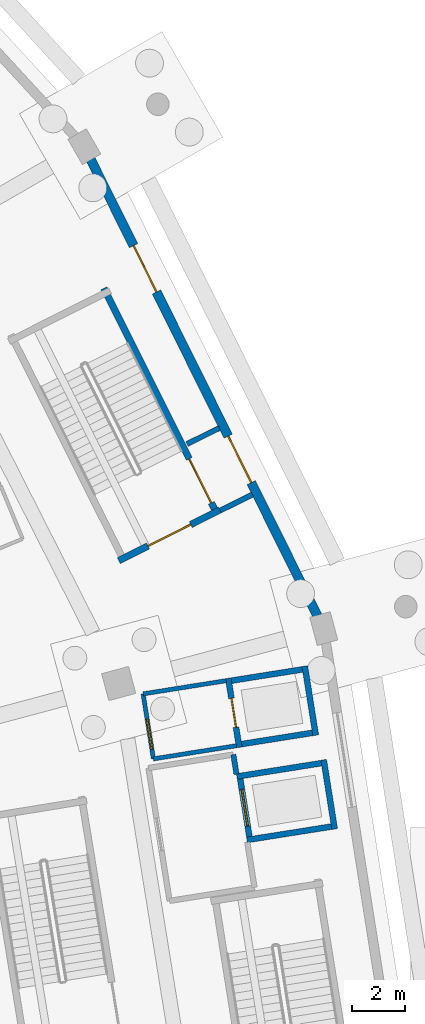
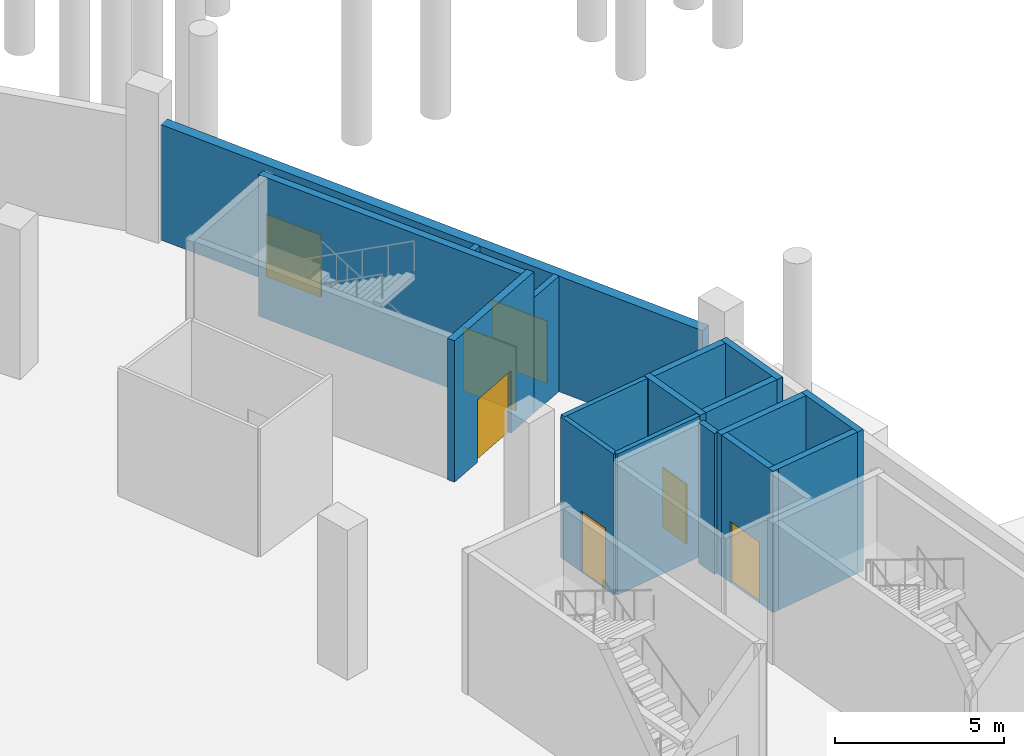
# One storey, part 41 of 103: 17 walls, 7 doors, 7 openings.
"""IFC4 building model written with IfcOpenShell, lengths in metres."""

from ifc_helpers import new_model, si_unit, direction, frame, frame_2d, origin, place, context, subcontext, project, spatial, rectangle, extrude, material, layer, layer_set, type_object, element, fill, save


model = new_model("IFC4")

# Units and contexts
model_context = context("Model", 3, precision=1e-05, world=origin(), true_north=direction((0.0, 1.0)))
body_context = subcontext(model_context, "Body", "Model", "MODEL_VIEW")
ifc_project = project(units=[si_unit("LENGTHUNIT", "METRE"), si_unit("AREAUNIT", "SQUARE_METRE"), si_unit("VOLUMEUNIT", "CUBIC_METRE"), si_unit("PLANEANGLEUNIT", "RADIAN"), si_unit("MASSUNIT", "GRAM", prefix="KILO")], contexts=[model_context])

# Site, building, storey
site_placement = place(None, origin())
site = spatial("IfcSite", under=ifc_project, at=site_placement, CompositionType="ELEMENT")
building_placement = place(site_placement, origin())
building = spatial("IfcBuilding", under=site, at=building_placement, Name="Zevraka Park Crest Stadium", CompositionType="ELEMENT")
storey_placement = place(building_placement, origin())
storey = spatial("IfcBuildingStorey", under=building, at=storey_placement, Name="L00", CompositionType="ELEMENT", Elevation=0.0)

# Wall, openings, doors
ifc_material_1 = material(Name="Limestone and red clay brick masonry", Category="masonry")
ifc_layer_1 = layer(ifc_material_1, 0.35009765625)
ifc_layer_set_1 = layer_set([ifc_layer_1], Name="Limestone and red clay brick masonry")
wall_type_1 = type_object("IfcWallType", Name="EW01", PredefinedType="STANDARD", material=ifc_layer_set_1)
wall_1_placement = place(storey_placement, frame((190.43603515625, 129.178955078125, 0.0), z_axis=(0.0, 0.0, 1.0), x_axis=(0.444884558919, -0.895587923788, 0.0)))
wall_1 = element("IfcWall", 1, at=wall_1_placement, inside=storey, type_object=wall_type_1, Name="L00 Pointed-Arch Colonnade Wall EW01 01", PredefinedType="STANDARD", context=body_context, shape_type="SweptSolid", body=[
    extrude(rectangle(XDim=19.21630859375, YDim=0.35009765625, at=frame_2d((9.608154296875, 0.0))), origin(), (0.0, 0.0, 1.0), 4.1650390625),
])
opening_1_placement = place(wall_1_placement, frame((11.656005859375, 0.0, 0.0)))
opening_1 = element("IfcOpeningElement", 2, at=opening_1_placement, cuts=wall_1, Name="Opening D-L00-EX-ST02", PredefinedType="OPENING", context=body_context, shape_type="SweptSolid", body=[
    extrude(rectangle(XDim=1.949951171875, YDim=2.25, at=frame_2d((0.97509765625, 1.125))), frame((0.0, 0.18505859375, 0.0), z_axis=(0.0, -1.0, 0.0), x_axis=(1.0, 0.0, 0.0)), (0.0, 0.0, 1.0), 0.3701171875),
])
opening_2_placement = place(wall_1_placement, frame((3.636962890625, 0.0, 0.0)))
opening_2 = element("IfcOpeningElement", 3, at=opening_2_placement, cuts=wall_1, Name="Opening D-L00-E02", PredefinedType="OPENING", context=body_context, shape_type="SweptSolid", body=[
    extrude(rectangle(XDim=1.949951171875, YDim=2.25, at=frame_2d((0.97509765625, 1.125))), frame((0.0, 0.18505859375, 0.0), z_axis=(0.0, -1.0, 0.0), x_axis=(1.0, 0.0, 0.0)), (0.0, 0.0, 1.0), 0.3701171875),
])
ifc_material_2 = material(Name="Thermally broken architectural aluminium and safety glass", Category="aluminium")
door_type_1 = type_object("IfcDoorType", Name="ED05", OperationType="NOTDEFINED", PredefinedType="DOOR", material=ifc_material_2)
door_1_placement = place(opening_1_placement, origin())
door_1 = element("IfcDoor", 4, at=door_1_placement, inside=storey, type_object=door_type_1, Name="Stair Final Exit Discharge Door D-L00-EX-ST02", OperationType="DOUBLE_DOOR_SINGLE_SWING", OverallHeight=2.25, OverallWidth=1.949951171875, PredefinedType="DOOR", context=body_context, shape_type="SweptSolid", body=[
    extrude(rectangle(XDim=1.949951171875, YDim=2.25, at=frame_2d((0.97509765625, 1.125))), frame((0.0, 0.02490234375, 0.0), z_axis=(0.0, -1.0, 0.0), x_axis=(1.0, 0.0, 0.0)), (0.0, 0.0, 1.0), 0.050048828125),
])
fill(opening_1, door_1)
door_2_placement = place(opening_2_placement, origin())
door_2 = element("IfcDoor", 5, at=door_2_placement, inside=storey, type_object=door_type_1, Name="Concourse Final Exit E02", OperationType="DOUBLE_DOOR_SINGLE_SWING", OverallHeight=2.25, OverallWidth=1.949951171875, PredefinedType="DOOR", context=body_context, shape_type="SweptSolid", body=[
    extrude(rectangle(XDim=1.949951171875, YDim=2.25, at=frame_2d((0.97509765625, 1.125))), frame((0.0, 0.02490234375, 0.0), z_axis=(0.0, -1.0, 0.0), x_axis=(1.0, 0.0, 0.0)), (0.0, 0.0, 1.0), 0.050048828125),
])
fill(opening_2, door_2)

# Walls
ifc_material_3 = material(Name="Autoclaved aerated masonry blockwork", Category="masonry")
ifc_layer_2 = layer(ifc_material_3, 0.199951171875)
ifc_layer_set_2 = layer_set([ifc_layer_2], Name="Autoclaved aerated masonry blockwork")
wall_type_2 = type_object("IfcWallType", Name="IW01", PredefinedType="PARTITIONING", material=ifc_layer_set_2)
wall_2_placement = place(storey_placement, frame((195.32177734375, 115.93994140625, 0.0), z_axis=(0.0, 0.0, 1.0), x_axis=(0.895788443733, 0.444480667829, 0.0)))
element("IfcWall", 6, at=wall_2_placement, inside=storey, type_object=wall_type_2, Name="Protected Exit Passageway Wall IW01 ST02-A", PredefinedType="PARTITIONING", context=body_context, shape_type="SweptSolid", body=[
    extrude(rectangle(XDim=1.35888671875, YDim=0.199951171875, at=frame_2d((0.679443359375, 0.0))), origin(), (0.0, 0.0, 1.0), 4.1650390625),
])
wall_3_placement = place(storey_placement, frame((194.067626953125, 118.443359375, 0.0), z_axis=(0.0, 0.0, 1.0), x_axis=(0.895601808574, 0.44485660665, 0.0)))
element("IfcWall", 7, at=wall_3_placement, inside=storey, type_object=wall_type_2, Name="Protected Exit Passageway Wall IW01 ST02-B", PredefinedType="PARTITIONING", context=body_context, shape_type="SweptSolid", body=[
    extrude(rectangle(XDim=1.3681640625, YDim=0.199951171875, at=frame_2d((0.68408203125, 0.0))), origin(), (0.0, 0.0, 1.0), 4.1650390625),
])
wall_4_placement = place(storey_placement, frame((195.81689453125, 106.743896484375, 0.0), z_axis=(0.0, 0.0, 1.0), x_axis=(0.157482870509, -0.987521719, 0.0)))
element("IfcWall", 8, at=wall_4_placement, inside=storey, type_object=wall_type_2, Name="Firefighting Lift Lobby Wall IW01 FL01 L00 BACKL", PredefinedType="PARTITIONING", context=body_context, shape_type="SweptSolid", body=[
    extrude(rectangle(XDim=0.750244140625, YDim=0.199951171875, at=frame_2d((0.375, 0.0))), origin(), (0.0, 0.0, 1.0), 5.080078125),
])
ifc_material_4 = material(Name="Fire-rated twin-stud acoustic drywall", Category="other")
ifc_layer_3 = layer(ifc_material_4, 0.159912109375)
ifc_layer_set_3 = layer_set([ifc_layer_3], Name="Fire-rated twin-stud acoustic drywall")
wall_type_3 = type_object("IfcWallType", Name="IW02", PredefinedType="PARTITIONING", material=ifc_layer_set_3)
wall_5_placement = place(storey_placement, frame((195.547119140625, 109.527099609375, 0.0), z_axis=(0.0, 0.0, 1.0), x_axis=(-0.987632121619, -0.156789005818, 0.0)))
element("IfcWall", 9, at=wall_5_placement, inside=storey, type_object=wall_type_3, Name="Passenger Lift Lobby Wall IW02 PL01 L00 LEFT", PredefinedType="PARTITIONING", context=body_context, shape_type="SweptSolid", body=[
    extrude(rectangle(XDim=3.17041015625, YDim=0.159912109375, at=frame_2d((1.585205078125, 0.0))), origin(), (0.0, 0.0, 1.0), 5.080078125),
])
wall_6_placement = place(storey_placement, frame((195.93603515625, 107.076904296875, 0.0), z_axis=(0.0, 0.0, 1.0), x_axis=(-0.987644043639, -0.156713889186, 0.0)))
element("IfcWall", 10, at=wall_6_placement, inside=storey, type_object=wall_type_3, Name="Passenger Lift Lobby Wall IW02 PL01 L00 RIGHT", PredefinedType="PARTITIONING", context=body_context, shape_type="SweptSolid", body=[
    extrude(rectangle(XDim=3.170166015625, YDim=0.159912109375, at=frame_2d((1.5849609375, 0.0))), origin(), (0.0, 0.0, 1.0), 5.080078125),
])

# Wall, opening, door
wall_7_placement = place(storey_placement, frame((192.416015625, 109.030029296875, 0.0), z_axis=(0.0, 0.0, 1.0), x_axis=(0.156781258489, -0.987633351496, 0.0)))
wall_7 = element("IfcWall", 11, at=wall_7_placement, inside=storey, type_object=wall_type_3, Name="Passenger Lift Lobby Wall IW02 PL01 L00 FRONT", PredefinedType="PARTITIONING", context=body_context, shape_type="SweptSolid", body=[
    extrude(rectangle(XDim=2.480712890625, YDim=0.159912109375, at=frame_2d((1.240234375, 0.0))), origin(), (0.0, 0.0, 1.0), 5.080078125),
])
opening_3_placement = place(wall_7_placement, frame((0.962890625, 0.0, 0.0)))
opening_3 = element("IfcOpeningElement", 12, at=opening_3_placement, cuts=wall_7, Name="Opening D-L00-289", PredefinedType="OPENING", context=body_context, shape_type="SweptSolid", body=[
    extrude(rectangle(XDim=1.14990234375, YDim=2.199951171875, at=frame_2d((0.574951171875, 1.10009765625))), frame((0.0, 0.08984375, 0.0), z_axis=(0.0, -1.0, 0.0), x_axis=(1.0, 0.0, 0.0)), (0.0, 0.0, 1.0), 0.179931640625),
])
ifc_material_5 = material(Name="Solid-core hardwood timber leaf in steel frame", Category="steel")
door_type_2 = type_object("IfcDoorType", Name="DR03", OperationType="NOTDEFINED", PredefinedType="DOOR", material=ifc_material_5)
door_3_placement = place(opening_3_placement, origin())
door_3 = element("IfcDoor", 13, at=door_3_placement, inside=storey, type_object=door_type_2, Name="Passenger Lift Lobby PL01 Door D-L00-289", OperationType="SINGLE_SWING_LEFT", OverallHeight=2.199951171875, OverallWidth=1.14990234375, PredefinedType="DOOR", context=body_context, shape_type="SweptSolid", body=[
    extrude(rectangle(XDim=1.14990234375, YDim=2.199951171875, at=frame_2d((0.574951171875, 1.10009765625))), frame((0.0, 0.02490234375, 0.0), z_axis=(0.0, -1.0, 0.0), x_axis=(1.0, 0.0, 0.0)), (0.0, 0.0, 1.0), 0.050048828125),
])
fill(opening_3, door_3)

ifc_material_6 = material(Name="Concrete C40/50", Category="concrete")
ifc_layer_4 = layer(ifc_material_6, 0.25)
ifc_layer_set_4 = layer_set([ifc_layer_4], Name="Concrete C40/50")
wall_type_4 = type_object("IfcWallType", Name="SW01", PredefinedType="SHEAR", material=ifc_layer_set_4)
wall_8_placement = place(storey_placement, frame((190.93701171875, 124.312744140625, 0.0), z_axis=(0.0, 0.0, 1.0), x_axis=(0.447919041961, -0.894074119885, 0.0)))
wall_8 = element("IfcWall", 14, at=wall_8_placement, inside=storey, type_object=wall_type_4, Name="Stair Core Shear Wall SW01 ST02 L00 left", PredefinedType="SHEAR", context=body_context, shape_type="SweptSolid", body=[
    extrude(rectangle(XDim=9.5498046875, YDim=0.25, at=frame_2d((4.77490234375, 0.0))), origin(), (0.0, 0.0, 1.0), 5.10009765625),
])
opening_4_placement = place(wall_8_placement, frame((7.18994140625, 0.0, 0.0)))
opening_4 = element("IfcOpeningElement", 15, at=opening_4_placement, cuts=wall_8, Name="Opening D-L00-009", PredefinedType="OPENING", context=body_context, shape_type="SweptSolid", body=[
    extrude(rectangle(XDim=1.85009765625, YDim=2.300048828125, at=frame_2d((0.925048828125, 1.14990234375))), frame((0.0, 0.135009765625, 0.0), z_axis=(0.0, -1.0, 0.0), x_axis=(1.0, 0.0, 0.0)), (0.0, 0.0, 1.0), 0.27001953125),
])
ifc_material_7 = material(Name="Solid-core hardwood timber leaf in steel frame", Category="steel")
door_type_3 = type_object("IfcDoorType", Name="DR05", OperationType="NOTDEFINED", PredefinedType="DOOR", material=ifc_material_7)
door_4_placement = place(opening_4_placement, origin())
door_4 = element("IfcDoor", 16, at=door_4_placement, inside=storey, type_object=door_type_3, Name="Stair Exit Discharge Door ST02", OperationType="DOUBLE_DOOR_SINGLE_SWING", OverallHeight=2.300048828125, OverallWidth=1.85009765625, PredefinedType="DOOR", context=body_context, shape_type="SweptSolid", body=[
    extrude(rectangle(XDim=1.85009765625, YDim=2.300048828125, at=frame_2d((0.925048828125, 1.14990234375))), frame((0.0, 0.02490234375, 0.0), z_axis=(0.0, -1.0, 0.0), x_axis=(1.0, 0.0, 0.0)), (0.0, 0.0, 1.0), 0.050048828125),
])
fill(opening_4, door_4)

wall_9_placement = place(storey_placement, frame((191.501708984375, 114.05419921875, 0.0), z_axis=(0.0, 0.0, 1.0), x_axis=(0.89409454548, 0.447878268888, 0.0)))
wall_9 = element("IfcWall", 17, at=wall_9_placement, inside=storey, type_object=wall_type_4, Name="Stair Core Shear Wall SW01 ST02 L00 near", PredefinedType="SHEAR", context=body_context, shape_type="SweptSolid", body=[
    extrude(rectangle(XDim=4.260009765625, YDim=0.25, at=frame_2d((2.1298828125, 0.0))), origin(), (0.0, 0.0, 1.0), 5.10009765625),
])
opening_5_placement = place(wall_9_placement, frame((1.22998046875, 0.0, 0.0)))
opening_5 = element("IfcOpeningElement", 18, at=opening_5_placement, cuts=wall_9, Name="Opening D-L00-008", PredefinedType="OPENING", context=body_context, shape_type="SweptSolid", body=[
    extrude(rectangle(XDim=1.800048828125, YDim=2.25, at=frame_2d((0.89990234375, 1.125))), frame((0.0, 0.135009765625, 0.0), z_axis=(0.0, -1.0, 0.0), x_axis=(1.0, 0.0, 0.0)), (0.0, 0.0, 1.0), 0.27001953125),
])
ifc_material_8 = material(Name="Solid-core hardwood timber leaf in steel frame", Category="steel")
door_type_4 = type_object("IfcDoorType", Name="DR04", OperationType="NOTDEFINED", PredefinedType="DOOR", material=ifc_material_8)
door_5_placement = place(opening_5_placement, origin())
door_5 = element("IfcDoor", 19, at=door_5_placement, inside=storey, type_object=door_type_4, Name="Protected Stair Entry Door ST02 L00", OperationType="DOUBLE_DOOR_SINGLE_SWING", OverallHeight=2.25, OverallWidth=1.800048828125, PredefinedType="DOOR", context=body_context, shape_type="SweptSolid", body=[
    extrude(rectangle(XDim=1.800048828125, YDim=2.25, at=frame_2d((0.89990234375, 1.125))), frame((0.0, 0.02490234375, 0.0), z_axis=(0.0, -1.0, 0.0), x_axis=(1.0, 0.0, 0.0)), (0.0, 0.0, 1.0), 0.050048828125),
])
fill(opening_5, door_5)

# Walls
ifc_material_9 = material(Name="Concrete C40/50", Category="concrete")
ifc_layer_5 = layer(ifc_material_9, 0.219970703125)
ifc_layer_set_5 = layer_set([ifc_layer_5], Name="Concrete C40/50")
wall_type_5 = type_object("IfcWallType", Name="SW02", PredefinedType="SHEAR", material=ifc_layer_set_5)
wall_10_placement = place(storey_placement, frame((199.635009765625, 103.93701171875, 0.0), z_axis=(0.0, 0.0, 1.0), x_axis=(-0.156807626334, 0.987629165387, 0.0)))
element("IfcWall", 20, at=wall_10_placement, inside=storey, type_object=wall_type_5, Name="Lift Shaft Shear Wall SW02 FL01 L00-1", PredefinedType="SHEAR", context=body_context, shape_type="SweptSolid", body=[
    extrude(rectangle(XDim=2.640625, YDim=0.219970703125, at=frame_2d((1.3203125, 0.0))), origin(), (0.0, 0.0, 1.0), 5.10009765625),
])
wall_11_placement = place(storey_placement, frame((199.346923828125, 106.452880859375, 0.0), z_axis=(0.0, 0.0, 1.0), x_axis=(-0.987703627881, -0.156337914372, 0.0)))
element("IfcWall", 21, at=wall_11_placement, inside=storey, type_object=wall_type_5, Name="Lift Shaft Shear Wall SW02 FL01 L00-2", PredefinedType="SHEAR", context=body_context, shape_type="SweptSolid", body=[
    extrude(rectangle(XDim=3.440185546875, YDim=0.219970703125, at=frame_2d((1.72021484375, 0.0))), origin(), (0.0, 0.0, 1.0), 5.10009765625),
])

# Wall, opening, door
wall_12_placement = place(storey_placement, frame((196.041015625, 106.041015625, 0.0), z_axis=(0.0, 0.0, 1.0), x_axis=(0.156807626334, -0.987629165387, 0.0)))
wall_12 = element("IfcWall", 22, at=wall_12_placement, inside=storey, type_object=wall_type_5, Name="Lift Shaft Shear Wall SW02 FL01 L00-3", PredefinedType="SHEAR", context=body_context, shape_type="SweptSolid", body=[
    extrude(rectangle(XDim=2.640625, YDim=0.219970703125, at=frame_2d((1.3203125, 0.0))), origin(), (0.0, 0.0, 1.0), 5.10009765625),
])
opening_6_placement = place(wall_12_placement, frame((0.6201171875, 0.0, 0.0)))
opening_6 = element("IfcOpeningElement", 23, at=opening_6_placement, cuts=wall_12, Name="Opening LD-FL01-L00", PredefinedType="OPENING", context=body_context, shape_type="SweptSolid", body=[
    extrude(rectangle(XDim=1.39990234375, YDim=2.199951171875, at=frame_2d((0.699951171875, 1.10009765625))), frame((0.0, 0.119873046875, 0.0), z_axis=(0.0, -1.0, 0.0), x_axis=(1.0, 0.0, 0.0)), (0.0, 0.0, 1.0), 0.239990234375),
])
ifc_material_10 = material(Name="Brushed stainless steel lift landing doors", Category="steel")
door_type_5 = type_object("IfcDoorType", Name="LD01", OperationType="NOTDEFINED", PredefinedType="DOOR", material=ifc_material_10)
door_6_placement = place(opening_6_placement, origin())
door_6 = element("IfcDoor", 24, at=door_6_placement, inside=storey, type_object=door_type_5, Name="Lift Sliding Landing Door LD-FL01-L00", OperationType="SLIDING_TO_LEFT", OverallHeight=2.199951171875, OverallWidth=1.39990234375, PredefinedType="DOOR", context=body_context, shape_type="SweptSolid", body=[
    extrude(rectangle(XDim=1.39990234375, YDim=2.199951171875, at=frame_2d((0.699951171875, 1.10009765625))), frame((0.0, 0.02490234375, 0.0), z_axis=(0.0, -1.0, 0.0), x_axis=(1.0, 0.0, 0.0)), (0.0, 0.0, 1.0), 0.050048828125),
])
fill(opening_6, door_6)

# Walls
wall_13_placement = place(storey_placement, frame((196.3291015625, 103.52490234375, 0.0), z_axis=(0.0, 0.0, 1.0), x_axis=(0.987692667337, 0.156407144619, 0.0)))
element("IfcWall", 25, at=wall_13_placement, inside=storey, type_object=wall_type_5, Name="Lift Shaft Shear Wall SW02 FL01 L00-4", PredefinedType="SHEAR", context=body_context, shape_type="SweptSolid", body=[
    extrude(rectangle(XDim=3.440185546875, YDim=0.219970703125, at=frame_2d((1.72021484375, 0.0))), origin(), (0.0, 0.0, 1.0), 5.10009765625),
])
wall_14_placement = place(storey_placement, frame((198.922119140625, 107.469970703125, 0.0), z_axis=(0.0, 0.0, 1.0), x_axis=(-0.156807626334, 0.987629165387, 0.0)))
element("IfcWall", 26, at=wall_14_placement, inside=storey, type_object=wall_type_5, Name="Lift Shaft Shear Wall SW02 PL01 L00-1", PredefinedType="SHEAR", context=body_context, shape_type="SweptSolid", body=[
    extrude(rectangle(XDim=2.640625, YDim=0.219970703125, at=frame_2d((1.3203125, 0.0))), origin(), (0.0, 0.0, 1.0), 5.10009765625),
])
wall_15_placement = place(storey_placement, frame((198.634033203125, 109.986083984375, 0.0), z_axis=(0.0, 0.0, 1.0), x_axis=(-0.987645460109, -0.156704962032, 0.0)))
element("IfcWall", 27, at=wall_15_placement, inside=storey, type_object=wall_type_5, Name="Lift Shaft Shear Wall SW02 PL01 L00-2", PredefinedType="SHEAR", context=body_context, shape_type="SweptSolid", body=[
    extrude(rectangle(XDim=3.140869140625, YDim=0.219970703125, at=frame_2d((1.5703125, 0.0))), origin(), (0.0, 0.0, 1.0), 5.10009765625),
])

# Wall, opening, door
wall_16_placement = place(storey_placement, frame((195.6240234375, 109.6201171875, 0.0), z_axis=(0.0, 0.0, 1.0), x_axis=(0.156793308963, -0.987631438475, 0.0)))
wall_16 = element("IfcWall", 28, at=wall_16_placement, inside=storey, type_object=wall_type_5, Name="Lift Shaft Shear Wall SW02 PL01 L00-3", PredefinedType="SHEAR", context=body_context, shape_type="SweptSolid", body=[
    extrude(rectangle(XDim=2.640869140625, YDim=0.219970703125, at=frame_2d((1.3203125, 0.0))), origin(), (0.0, 0.0, 1.0), 5.10009765625),
])
opening_7_placement = place(wall_16_placement, frame((0.77001953125, 0.0, 0.0)))
opening_7 = element("IfcOpeningElement", 29, at=opening_7_placement, cuts=wall_16, Name="Opening LD-PL01-L00", PredefinedType="OPENING", context=body_context, shape_type="SweptSolid", body=[
    extrude(rectangle(XDim=1.10009765625, YDim=2.14990234375, at=frame_2d((0.550048828125, 1.074951171875))), frame((0.0, 0.119873046875, 0.0), z_axis=(0.0, -1.0, 0.0), x_axis=(1.0, 0.0, 0.0)), (0.0, 0.0, 1.0), 0.239990234375),
])
ifc_material_11 = material(Name="Brushed stainless steel lift landing doors", Category="steel")
door_type_6 = type_object("IfcDoorType", Name="LD02", OperationType="NOTDEFINED", PredefinedType="DOOR", material=ifc_material_11)
door_7_placement = place(opening_7_placement, origin())
door_7 = element("IfcDoor", 30, at=door_7_placement, inside=storey, type_object=door_type_6, Name="Lift Sliding Landing Door LD-PL01-L00", OperationType="SLIDING_TO_LEFT", OverallHeight=2.14990234375, OverallWidth=1.10009765625, PredefinedType="DOOR", context=body_context, shape_type="SweptSolid", body=[
    extrude(rectangle(XDim=1.10009765625, YDim=2.14990234375, at=frame_2d((0.550048828125, 1.074951171875))), frame((0.0, 0.02490234375, 0.0), z_axis=(0.0, -1.0, 0.0), x_axis=(1.0, 0.0, 0.0)), (0.0, 0.0, 1.0), 0.050048828125),
])
fill(opening_7, door_7)

# Wall
wall_17_placement = place(storey_placement, frame((195.912109375, 107.10400390625, 0.0), z_axis=(0.0, 0.0, 1.0), x_axis=(0.98765558045, 0.156641164471, 0.0)))
element("IfcWall", 31, at=wall_17_placement, inside=storey, type_object=wall_type_5, Name="Lift Shaft Shear Wall SW02 PL01 L00-4", PredefinedType="SHEAR", context=body_context, shape_type="SweptSolid", body=[
    extrude(rectangle(XDim=3.140625, YDim=0.219970703125, at=frame_2d((1.5703125, 0.0))), origin(), (0.0, 0.0, 1.0), 5.10009765625),
])

save(model, "model.ifc")
